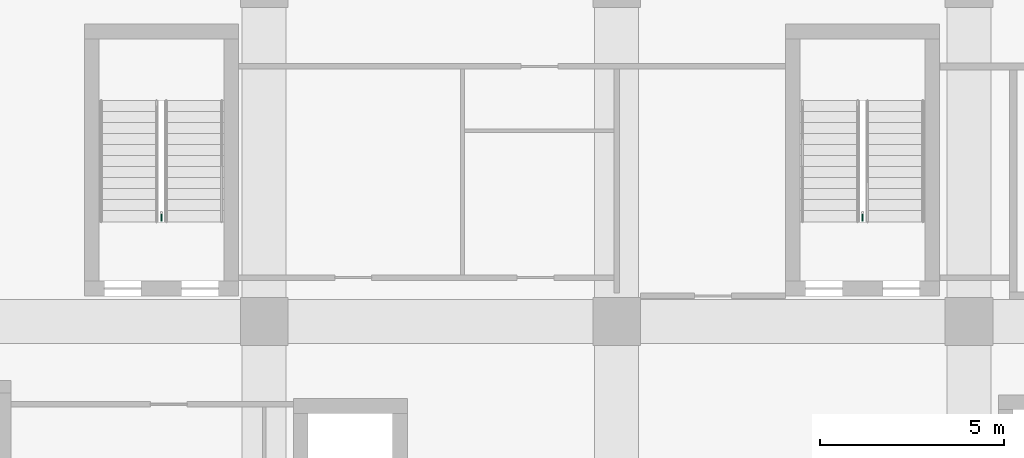
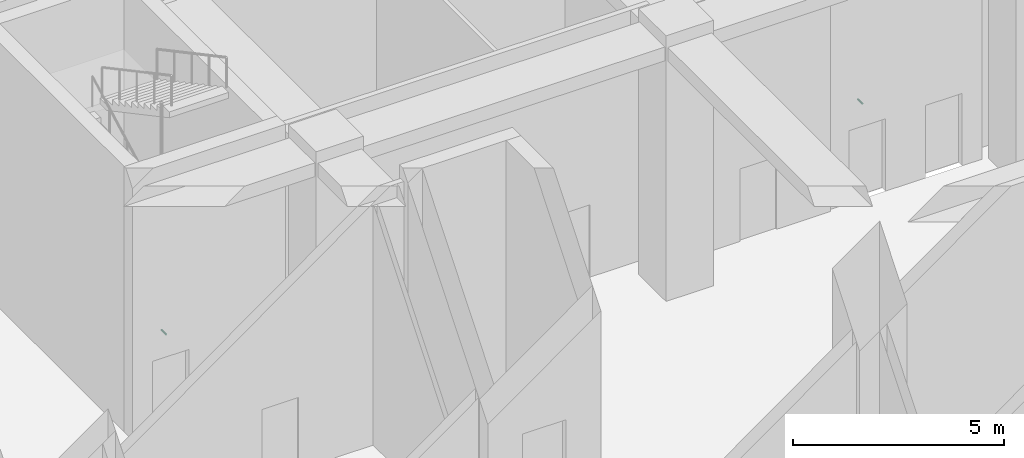
# One storey, part 29 of 33: 2 pipe fittings.
"""IFC4 building model written with IfcOpenShell, lengths in metres."""

from ifc_helpers import new_model, si_unit, direction, frame, origin, origin_2d, place, context, subcontext, project, spatial, circle, extrude, element, save


model = new_model("IFC4")

# Units and contexts
model_context = context("Model", 3, precision=1e-05, world=origin(), true_north=direction((0.0, 1.0)))
body_context = subcontext(model_context, "Body", "Model", "MODEL_VIEW")
ifc_project = project(units=[si_unit("LENGTHUNIT", "METRE"), si_unit("AREAUNIT", "SQUARE_METRE"), si_unit("VOLUMEUNIT", "CUBIC_METRE"), si_unit("PLANEANGLEUNIT", "RADIAN"), si_unit("MASSUNIT", "GRAM", prefix="KILO")], contexts=[model_context])

# Site, building, storey
site_placement = place(None, origin())
site = spatial("IfcSite", under=ifc_project, at=site_placement, CompositionType="ELEMENT")
building_placement = place(site_placement, origin())
building = spatial("IfcBuilding", under=site, at=building_placement, Name="Nzadi Deep Aquarium and Research Tower", CompositionType="ELEMENT")
storey_placement = place(building_placement, frame((0.0, 0.0, 6.5)))
storey = spatial("IfcBuildingStorey", under=building, at=storey_placement, Name="L01", CompositionType="ELEMENT", Elevation=6.5)

# Pipe fittings
for number, where, z_axis, x_axis, name in (
    (1, (6.800048828125, 39.77001953125, 1.10009765625), (0.0, -1.0, 0.0), (1.0, 0.0, 0.0), "Dry riser outlet ST-Z1-NW L01"),
    (2, (25.89990234375, 39.77001953125, 1.10009765625), (0.0, -1.0, 0.0), (1.0, 0.0, 0.0), "Dry riser outlet ST-Z1-NE L01"),
):
    element("IfcPipeFitting", number, at=place(storey_placement, frame(where, z_axis=z_axis, x_axis=x_axis)), inside=storey, Name=name, PredefinedType="EXIT", context=body_context, shape_type="SweptSolid", body=[
        extrude(circle(Radius=0.0224609375, at=origin_2d()), origin(), (0.0, 0.0, 1.0), 0.22998046875),
    ])

save(model, "model.ifc")
